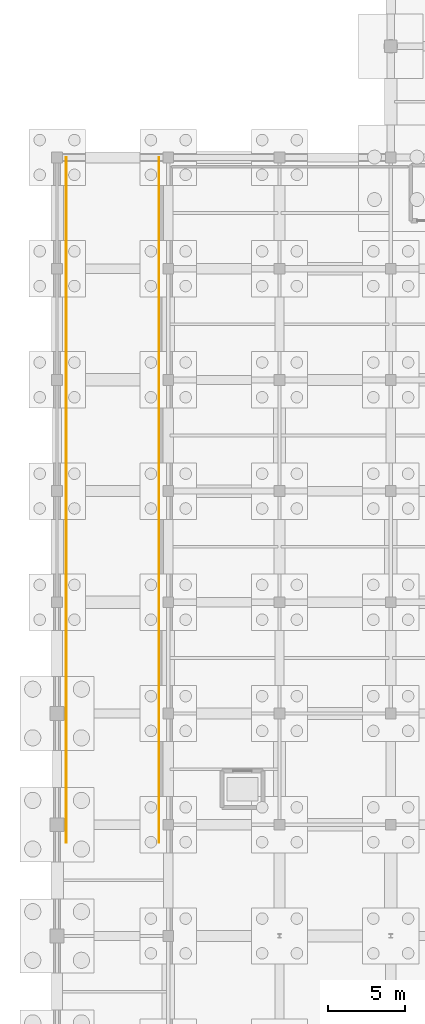
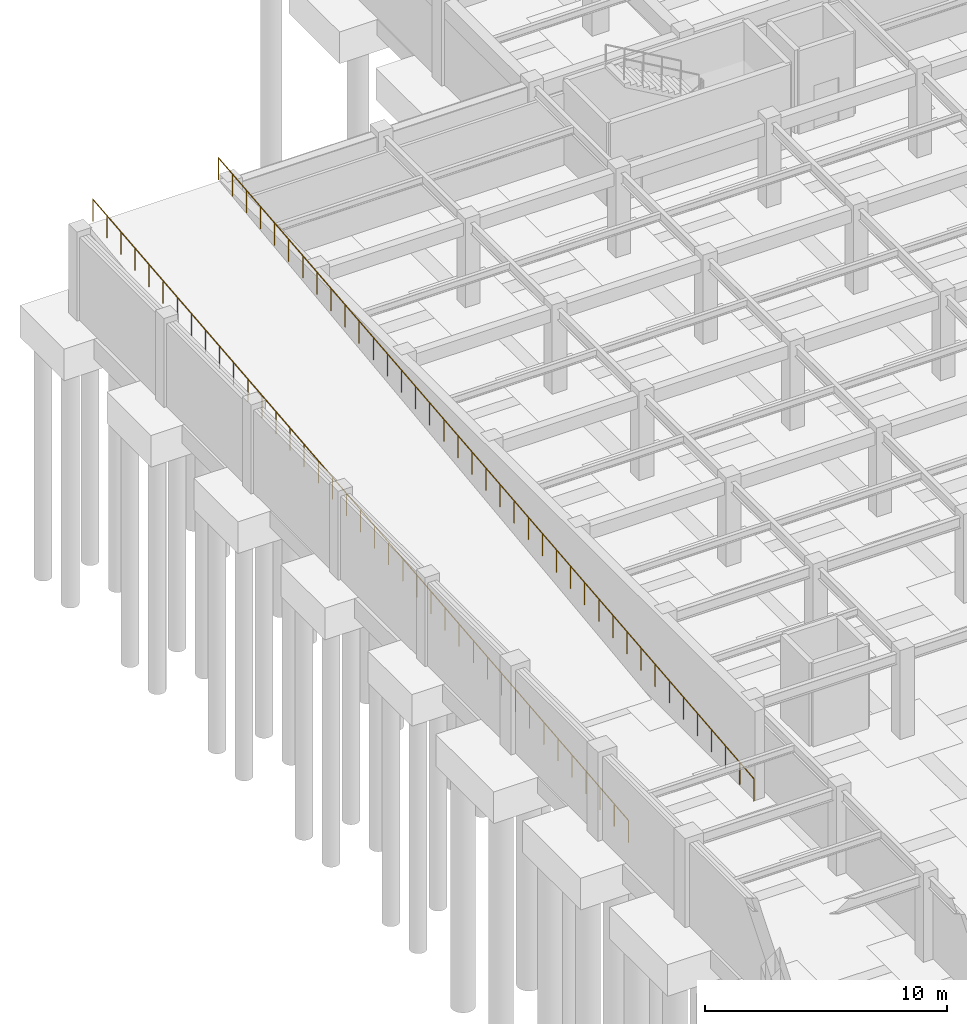
# One storey, part 42 of 48: 2 railings.
"""IFC4 building model written with IfcOpenShell, lengths in metres."""

from ifc_helpers import new_model, si_unit, direction, frame, origin, origin_2d, place, context, subcontext, project, spatial, circle, extrude, material, layer, layer_set, type_object, element, save


model = new_model("IFC4")

# Units and contexts
model_context = context("Model", 3, precision=1e-05, world=origin(), true_north=direction((0.0, 1.0)))
body_context = subcontext(model_context, "Body", "Model", "MODEL_VIEW")
ifc_project = project(units=[si_unit("LENGTHUNIT", "METRE"), si_unit("AREAUNIT", "SQUARE_METRE"), si_unit("VOLUMEUNIT", "CUBIC_METRE"), si_unit("PLANEANGLEUNIT", "RADIAN"), si_unit("MASSUNIT", "GRAM", prefix="KILO")], contexts=[model_context])

# Site, building, storey
site_placement = place(None, origin())
site = spatial("IfcSite", under=ifc_project, at=site_placement, CompositionType="ELEMENT")
building_placement = place(site_placement, origin())
building = spatial("IfcBuilding", under=site, at=building_placement, Name="Carrowvane Square Congress Hotel", CompositionType="ELEMENT")
storey_placement = place(building_placement, frame((0.0, 0.0, -4.5)))
storey = spatial("IfcBuildingStorey", under=building, at=storey_placement, Name="B01", CompositionType="ELEMENT", Elevation=-4.5)

# Railings
ifc_material = material(Name="Stainless steel 316", Category="steel")
ifc_layer = layer(ifc_material, 0.06494140625)
ifc_layer_set = layer_set([ifc_layer], Name="Stainless steel 316")
railing_type = type_object("IfcRailingType", Name="RLG-BAL-STL1150", PredefinedType="BALUSTRADE", material=ifc_layer_set)
railing_1_placement = place(storey_placement, frame((12.199951171875, 47.449951171875, 0.0)))
element("IfcRailing", 1, at=railing_1_placement, inside=storey, type_object=railing_type, Name="B01 vehicle ramp side guardrail 1", PredefinedType="BALUSTRADE", context=body_context, shape_type="SweptSolid", body=[
    extrude(circle(Radius=0.02392578125, at=origin_2d()), frame((0.0, 0.0, 1.1259765625), z_axis=(0.0, 0.994891796131, 0.100947085107), x_axis=(-1.0, 0.0, 0.0)), (0.0, 0.0, 1.0), 44.577880859375),
    extrude(circle(Radius=0.02099609375, at=origin_2d()), origin(), (0.0, 0.0, 1.0), 1.101806640625),
    extrude(circle(Radius=0.02099609375, at=origin_2d()), frame((0.0, 1.1669921875, 0.118408203125)), (0.0, 0.0, 1.0), 1.101806640625),
    extrude(circle(Radius=0.02099609375, at=origin_2d()), frame((0.0, 2.334228515625, 0.23681640625)), (0.0, 0.0, 1.0), 1.101806640625),
    extrude(circle(Radius=0.02099609375, at=origin_2d()), frame((0.0, 3.501220703125, 0.355224609375)), (0.0, 0.0, 1.0), 1.101806640625),
    extrude(circle(Radius=0.02099609375, at=origin_2d()), frame((0.0, 4.66845703125, 0.4736328125)), (0.0, 0.0, 1.0), 1.101806640625),
    extrude(circle(Radius=0.02099609375, at=origin_2d()), frame((0.0, 5.83544921875, 0.592041015625)), (0.0, 0.0, 1.0), 1.101806640625),
    extrude(circle(Radius=0.02099609375, at=origin_2d()), frame((0.0, 7.002685546875, 0.71044921875)), (0.0, 0.0, 1.0), 1.101806640625),
    extrude(circle(Radius=0.02099609375, at=origin_2d()), frame((0.0, 8.169677734375, 0.828857421875)), (0.0, 0.0, 1.0), 1.101806640625),
    extrude(circle(Radius=0.02099609375, at=origin_2d()), frame((0.0, 9.3369140625, 0.947265625)), (0.0, 0.0, 1.0), 1.101806640625),
    extrude(circle(Radius=0.02099609375, at=origin_2d()), frame((0.0, 10.50390625, 1.065673828125)), (0.0, 0.0, 1.0), 1.101806640625),
    extrude(circle(Radius=0.02099609375, at=origin_2d()), frame((0.0, 11.671142578125, 1.184326171875)), (0.0, 0.0, 1.0), 1.101806640625),
    extrude(circle(Radius=0.02099609375, at=origin_2d()), frame((0.0, 12.838134765625, 1.302734375)), (0.0, 0.0, 1.0), 1.101806640625),
    extrude(circle(Radius=0.02099609375, at=origin_2d()), frame((0.0, 14.00537109375, 1.421142578125)), (0.0, 0.0, 1.0), 1.101806640625),
    extrude(circle(Radius=0.02099609375, at=origin_2d()), frame((0.0, 15.17236328125, 1.53955078125)), (0.0, 0.0, 1.0), 1.101806640625),
    extrude(circle(Radius=0.02099609375, at=origin_2d()), frame((0.0, 16.339599609375, 1.657958984375)), (0.0, 0.0, 1.0), 1.101806640625),
    extrude(circle(Radius=0.02099609375, at=origin_2d()), frame((0.0, 17.506591796875, 1.7763671875)), (0.0, 0.0, 1.0), 1.101806640625),
    extrude(circle(Radius=0.02099609375, at=origin_2d()), frame((0.0, 18.673828125, 1.894775390625)), (0.0, 0.0, 1.0), 1.101806640625),
    extrude(circle(Radius=0.02099609375, at=origin_2d()), frame((0.0, 19.8408203125, 2.01318359375)), (0.0, 0.0, 1.0), 1.101806640625),
    extrude(circle(Radius=0.02099609375, at=origin_2d()), frame((0.0, 21.008056640625, 2.131591796875)), (0.0, 0.0, 1.0), 1.101806640625),
    extrude(circle(Radius=0.02099609375, at=origin_2d()), frame((0.0, 22.175048828125, 2.25)), (0.0, 0.0, 1.0), 1.101806640625),
    extrude(circle(Radius=0.02099609375, at=origin_2d()), frame((0.0, 23.342041015625, 2.368408203125)), (0.0, 0.0, 1.0), 1.101806640625),
    extrude(circle(Radius=0.02099609375, at=origin_2d()), frame((0.0, 24.50927734375, 2.48681640625)), (0.0, 0.0, 1.0), 1.101806640625),
    extrude(circle(Radius=0.02099609375, at=origin_2d()), frame((0.0, 25.67626953125, 2.605224609375)), (0.0, 0.0, 1.0), 1.101806640625),
    extrude(circle(Radius=0.02099609375, at=origin_2d()), frame((0.0, 26.843505859375, 2.7236328125)), (0.0, 0.0, 1.0), 1.101806640625),
    extrude(circle(Radius=0.02099609375, at=origin_2d()), frame((0.0, 28.010498046875, 2.842041015625)), (0.0, 0.0, 1.0), 1.101806640625),
    extrude(circle(Radius=0.02099609375, at=origin_2d()), frame((0.0, 29.177734375, 2.96044921875)), (0.0, 0.0, 1.0), 1.101806640625),
    extrude(circle(Radius=0.02099609375, at=origin_2d()), frame((0.0, 30.3447265625, 3.078857421875)), (0.0, 0.0, 1.0), 1.101806640625),
    extrude(circle(Radius=0.02099609375, at=origin_2d()), frame((0.0, 31.511962890625, 3.197265625)), (0.0, 0.0, 1.0), 1.101806640625),
    extrude(circle(Radius=0.02099609375, at=origin_2d()), frame((0.0, 32.678955078125, 3.315673828125)), (0.0, 0.0, 1.0), 1.101806640625),
    extrude(circle(Radius=0.02099609375, at=origin_2d()), frame((0.0, 33.84619140625, 3.434326171875)), (0.0, 0.0, 1.0), 1.101806640625),
    extrude(circle(Radius=0.02099609375, at=origin_2d()), frame((0.0, 35.01318359375, 3.552734375)), (0.0, 0.0, 1.0), 1.101806640625),
    extrude(circle(Radius=0.02099609375, at=origin_2d()), frame((0.0, 36.180419921875, 3.671142578125)), (0.0, 0.0, 1.0), 1.101806640625),
    extrude(circle(Radius=0.02099609375, at=origin_2d()), frame((0.0, 37.347412109375, 3.78955078125)), (0.0, 0.0, 1.0), 1.101806640625),
    extrude(circle(Radius=0.02099609375, at=origin_2d()), frame((0.0, 38.5146484375, 3.907958984375)), (0.0, 0.0, 1.0), 1.101806640625),
    extrude(circle(Radius=0.02099609375, at=origin_2d()), frame((0.0, 39.681640625, 4.0263671875)), (0.0, 0.0, 1.0), 1.101806640625),
    extrude(circle(Radius=0.02099609375, at=origin_2d()), frame((0.0, 40.848876953125, 4.144775390625)), (0.0, 0.0, 1.0), 1.101806640625),
    extrude(circle(Radius=0.02099609375, at=origin_2d()), frame((0.0, 42.015869140625, 4.26318359375)), (0.0, 0.0, 1.0), 1.101806640625),
    extrude(circle(Radius=0.02099609375, at=origin_2d()), frame((0.0, 43.18310546875, 4.381591796875)), (0.0, 0.0, 1.0), 1.101806640625),
    extrude(circle(Radius=0.02099609375, at=origin_2d()), frame((0.0, 44.35009765625, 4.5)), (0.0, 0.0, 1.0), 1.101806640625),
])
railing_2_placement = place(storey_placement, frame((18.199951171875, 47.449951171875, 0.0)))
element("IfcRailing", 2, at=railing_2_placement, inside=storey, type_object=railing_type, Name="B01 vehicle ramp side guardrail 2", PredefinedType="BALUSTRADE", context=body_context, shape_type="SweptSolid", body=[
    extrude(circle(Radius=0.02392578125, at=origin_2d()), frame((0.0, 0.0, 1.1259765625), z_axis=(0.0, 0.994891796131, 0.100947085107), x_axis=(-1.0, 0.0, 0.0)), (0.0, 0.0, 1.0), 44.577880859375),
    extrude(circle(Radius=0.02099609375, at=origin_2d()), origin(), (0.0, 0.0, 1.0), 1.101806640625),
    extrude(circle(Radius=0.02099609375, at=origin_2d()), frame((0.0, 1.1669921875, 0.118408203125)), (0.0, 0.0, 1.0), 1.101806640625),
    extrude(circle(Radius=0.02099609375, at=origin_2d()), frame((0.0, 2.334228515625, 0.23681640625)), (0.0, 0.0, 1.0), 1.101806640625),
    extrude(circle(Radius=0.02099609375, at=origin_2d()), frame((0.0, 3.501220703125, 0.355224609375)), (0.0, 0.0, 1.0), 1.101806640625),
    extrude(circle(Radius=0.02099609375, at=origin_2d()), frame((0.0, 4.66845703125, 0.4736328125)), (0.0, 0.0, 1.0), 1.101806640625),
    extrude(circle(Radius=0.02099609375, at=origin_2d()), frame((0.0, 5.83544921875, 0.592041015625)), (0.0, 0.0, 1.0), 1.101806640625),
    extrude(circle(Radius=0.02099609375, at=origin_2d()), frame((0.0, 7.002685546875, 0.71044921875)), (0.0, 0.0, 1.0), 1.101806640625),
    extrude(circle(Radius=0.02099609375, at=origin_2d()), frame((0.0, 8.169677734375, 0.828857421875)), (0.0, 0.0, 1.0), 1.101806640625),
    extrude(circle(Radius=0.02099609375, at=origin_2d()), frame((0.0, 9.3369140625, 0.947265625)), (0.0, 0.0, 1.0), 1.101806640625),
    extrude(circle(Radius=0.02099609375, at=origin_2d()), frame((0.0, 10.50390625, 1.065673828125)), (0.0, 0.0, 1.0), 1.101806640625),
    extrude(circle(Radius=0.02099609375, at=origin_2d()), frame((0.0, 11.671142578125, 1.184326171875)), (0.0, 0.0, 1.0), 1.101806640625),
    extrude(circle(Radius=0.02099609375, at=origin_2d()), frame((0.0, 12.838134765625, 1.302734375)), (0.0, 0.0, 1.0), 1.101806640625),
    extrude(circle(Radius=0.02099609375, at=origin_2d()), frame((0.0, 14.00537109375, 1.421142578125)), (0.0, 0.0, 1.0), 1.101806640625),
    extrude(circle(Radius=0.02099609375, at=origin_2d()), frame((0.0, 15.17236328125, 1.53955078125)), (0.0, 0.0, 1.0), 1.101806640625),
    extrude(circle(Radius=0.02099609375, at=origin_2d()), frame((0.0, 16.339599609375, 1.657958984375)), (0.0, 0.0, 1.0), 1.101806640625),
    extrude(circle(Radius=0.02099609375, at=origin_2d()), frame((0.0, 17.506591796875, 1.7763671875)), (0.0, 0.0, 1.0), 1.101806640625),
    extrude(circle(Radius=0.02099609375, at=origin_2d()), frame((0.0, 18.673828125, 1.894775390625)), (0.0, 0.0, 1.0), 1.101806640625),
    extrude(circle(Radius=0.02099609375, at=origin_2d()), frame((0.0, 19.8408203125, 2.01318359375)), (0.0, 0.0, 1.0), 1.101806640625),
    extrude(circle(Radius=0.02099609375, at=origin_2d()), frame((0.0, 21.008056640625, 2.131591796875)), (0.0, 0.0, 1.0), 1.101806640625),
    extrude(circle(Radius=0.02099609375, at=origin_2d()), frame((0.0, 22.175048828125, 2.25)), (0.0, 0.0, 1.0), 1.101806640625),
    extrude(circle(Radius=0.02099609375, at=origin_2d()), frame((0.0, 23.342041015625, 2.368408203125)), (0.0, 0.0, 1.0), 1.101806640625),
    extrude(circle(Radius=0.02099609375, at=origin_2d()), frame((0.0, 24.50927734375, 2.48681640625)), (0.0, 0.0, 1.0), 1.101806640625),
    extrude(circle(Radius=0.02099609375, at=origin_2d()), frame((0.0, 25.67626953125, 2.605224609375)), (0.0, 0.0, 1.0), 1.101806640625),
    extrude(circle(Radius=0.02099609375, at=origin_2d()), frame((0.0, 26.843505859375, 2.7236328125)), (0.0, 0.0, 1.0), 1.101806640625),
    extrude(circle(Radius=0.02099609375, at=origin_2d()), frame((0.0, 28.010498046875, 2.842041015625)), (0.0, 0.0, 1.0), 1.101806640625),
    extrude(circle(Radius=0.02099609375, at=origin_2d()), frame((0.0, 29.177734375, 2.96044921875)), (0.0, 0.0, 1.0), 1.101806640625),
    extrude(circle(Radius=0.02099609375, at=origin_2d()), frame((0.0, 30.3447265625, 3.078857421875)), (0.0, 0.0, 1.0), 1.101806640625),
    extrude(circle(Radius=0.02099609375, at=origin_2d()), frame((0.0, 31.511962890625, 3.197265625)), (0.0, 0.0, 1.0), 1.101806640625),
    extrude(circle(Radius=0.02099609375, at=origin_2d()), frame((0.0, 32.678955078125, 3.315673828125)), (0.0, 0.0, 1.0), 1.101806640625),
    extrude(circle(Radius=0.02099609375, at=origin_2d()), frame((0.0, 33.84619140625, 3.434326171875)), (0.0, 0.0, 1.0), 1.101806640625),
    extrude(circle(Radius=0.02099609375, at=origin_2d()), frame((0.0, 35.01318359375, 3.552734375)), (0.0, 0.0, 1.0), 1.101806640625),
    extrude(circle(Radius=0.02099609375, at=origin_2d()), frame((0.0, 36.180419921875, 3.671142578125)), (0.0, 0.0, 1.0), 1.101806640625),
    extrude(circle(Radius=0.02099609375, at=origin_2d()), frame((0.0, 37.347412109375, 3.78955078125)), (0.0, 0.0, 1.0), 1.101806640625),
    extrude(circle(Radius=0.02099609375, at=origin_2d()), frame((0.0, 38.5146484375, 3.907958984375)), (0.0, 0.0, 1.0), 1.101806640625),
    extrude(circle(Radius=0.02099609375, at=origin_2d()), frame((0.0, 39.681640625, 4.0263671875)), (0.0, 0.0, 1.0), 1.101806640625),
    extrude(circle(Radius=0.02099609375, at=origin_2d()), frame((0.0, 40.848876953125, 4.144775390625)), (0.0, 0.0, 1.0), 1.101806640625),
    extrude(circle(Radius=0.02099609375, at=origin_2d()), frame((0.0, 42.015869140625, 4.26318359375)), (0.0, 0.0, 1.0), 1.101806640625),
    extrude(circle(Radius=0.02099609375, at=origin_2d()), frame((0.0, 43.18310546875, 4.381591796875)), (0.0, 0.0, 1.0), 1.101806640625),
    extrude(circle(Radius=0.02099609375, at=origin_2d()), frame((0.0, 44.35009765625, 4.5)), (0.0, 0.0, 1.0), 1.101806640625),
])

save(model, "model.ifc")
